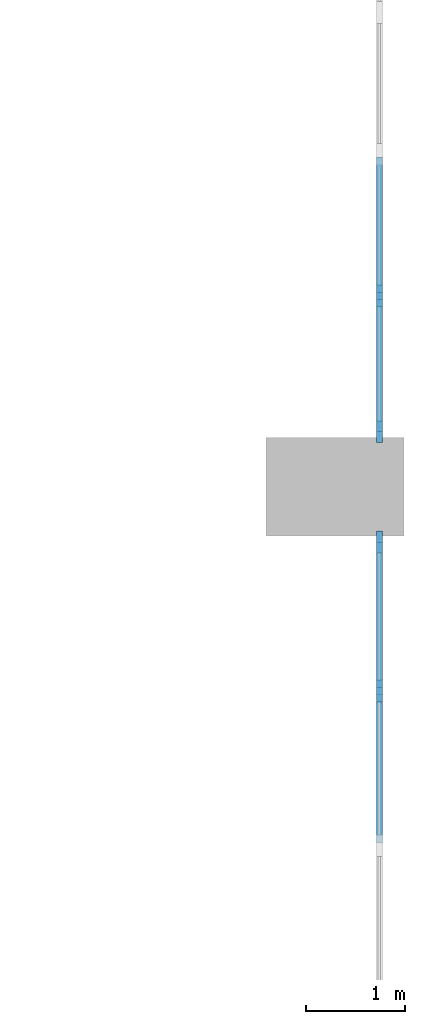
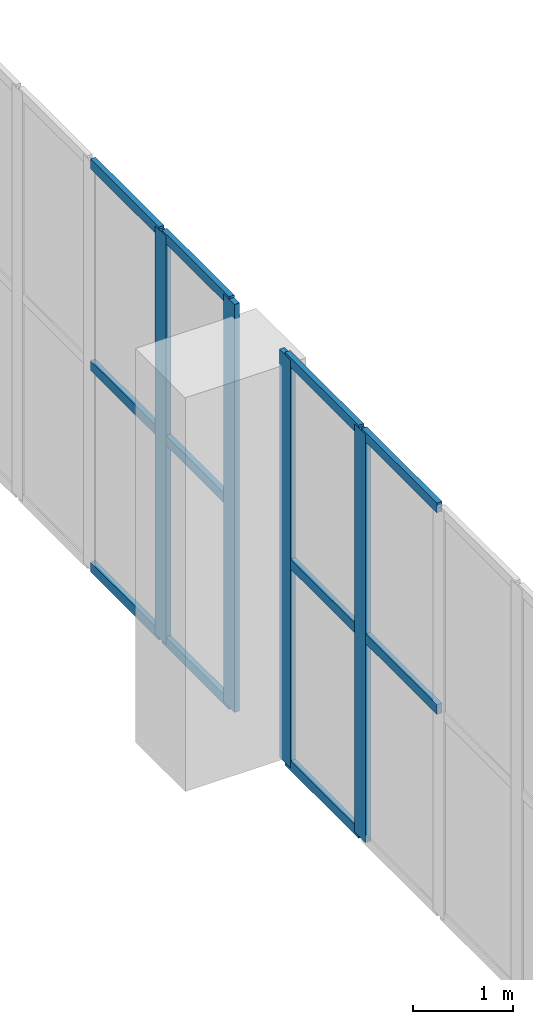
# One storey, part 17 of 69: 15 members, 2 elements without a shape of their own.
"""IFC4 building model written with IfcOpenShell, lengths in metres."""

from ifc_helpers import new_model, si_unit, direction, frame, origin, origin_2d, place, context, subcontext, project, spatial, rectangle, extrude, material, layer, layer_set, material_profile, profile_set, type_object, element, aggregate, save


model = new_model("IFC4")

# Units and contexts
model_context = context("Model", 3, precision=1e-05, world=origin(), true_north=direction((0.0, 1.0)))
body_context = subcontext(model_context, "Body", "Model", "MODEL_VIEW")
ifc_project = project(units=[si_unit("LENGTHUNIT", "METRE"), si_unit("AREAUNIT", "SQUARE_METRE"), si_unit("VOLUMEUNIT", "CUBIC_METRE"), si_unit("PLANEANGLEUNIT", "RADIAN"), si_unit("MASSUNIT", "GRAM", prefix="KILO")], contexts=[model_context])

# Site, building, storey
site_placement = place(None, origin())
site = spatial("IfcSite", under=ifc_project, at=site_placement, CompositionType="ELEMENT")
building_placement = place(site_placement, origin())
building = spatial("IfcBuilding", under=site, at=building_placement, Name="Lilac Gate Convention Centre", CompositionType="ELEMENT")
storey_placement = place(building_placement, frame((0.0, 0.0, 12.0)))
storey = spatial("IfcBuildingStorey", under=building, at=storey_placement, Name="L02", CompositionType="ELEMENT", Elevation=12.0)

# Curtain wall, members
ifc_material_1 = material(Name="Aluminium framed double glazing", Category="aluminium")
ifc_layer = layer(ifc_material_1, 0.199951171875)
ifc_layer_set = layer_set([ifc_layer], Name="Aluminium framed double glazing")
curtain_wall_type = type_object("IfcCurtainWallType", Name="Unitised curtain wall 1500", PredefinedType="NOTDEFINED", material=ifc_layer_set)
curtain_wall_1_placement = place(storey_placement, origin())
curtain_wall_1 = element("IfcCurtainWall", 1, at=curtain_wall_1_placement, inside=storey, type_object=curtain_wall_type, Name="Curtain wall HE L02 5", PredefinedType="NOTDEFINED")
ifc_material_2 = material(Name="Aluminium alloy 6063", Category="aluminium")
ifc_material_profile_1 = material_profile(ifc_material_2, rectangle(XDim=0.06005859375, YDim=0.219970703125, at=origin_2d()), Name="Curtain wall mullion 60 x 220")
ifc_profile_set_1 = profile_set([ifc_material_profile_1], Name="Aluminium alloy 6063")
member_type_1 = type_object("IfcMemberType", Name="Curtain wall mullion 60 x 220", PredefinedType="MULLION", material=ifc_profile_set_1)
member_1_placement = place(storey_placement, frame((90.449951171875, 87.928466796875, 0.0), z_axis=(0.0, 0.0, 1.0), x_axis=(-1.0, 0.0, 0.0)))
member_1 = element("IfcMember", 2, at=member_1_placement, type_object=member_type_1, Name="CW mullion 7", PredefinedType="MULLION", context=body_context, shape_type="SweptSolid", body=[
    extrude(rectangle(XDim=0.06005859375, YDim=0.219970703125, at=origin_2d()), origin(), (0.0, 0.0, 1.0), 5.0),
])
member_2_placement = place(storey_placement, frame((90.449951171875, 89.43994140625, 0.0), z_axis=(0.0, 0.0, 1.0), x_axis=(-1.0, 0.0, 0.0)))
member_2 = element("IfcMember", 3, at=member_2_placement, type_object=member_type_1, Name="CW mullion 8", PredefinedType="MULLION", context=body_context, shape_type="SweptSolid", body=[
    extrude(rectangle(XDim=0.06005859375, YDim=0.219970703125, at=origin_2d()), origin(), (0.0, 0.0, 1.0), 5.0),
])

curtain_wall_2_placement = place(storey_placement, origin())
curtain_wall_2 = element("IfcCurtainWall", 4, at=curtain_wall_2_placement, inside=storey, type_object=curtain_wall_type, Name="Curtain wall HE L02 6", PredefinedType="NOTDEFINED")
member_3_placement = place(storey_placement, frame((90.449951171875, 90.56005859375, 0.0), z_axis=(0.0, 0.0, 1.0), x_axis=(-1.0, 0.0, 0.0)))
member_3 = element("IfcMember", 5, at=member_3_placement, type_object=member_type_1, Name="CW mullion 1", PredefinedType="MULLION", context=body_context, shape_type="SweptSolid", body=[
    extrude(rectangle(XDim=0.06005859375, YDim=0.219970703125, at=origin_2d()), origin(), (0.0, 0.0, 1.0), 5.0),
])
member_4_placement = place(storey_placement, frame((90.449951171875, 91.9375, 0.0), z_axis=(0.0, 0.0, 1.0), x_axis=(-1.0, 0.0, 0.0)))
member_4 = element("IfcMember", 6, at=member_4_placement, type_object=member_type_1, Name="CW mullion 2", PredefinedType="MULLION", context=body_context, shape_type="SweptSolid", body=[
    extrude(rectangle(XDim=0.06005859375, YDim=0.219970703125, at=origin_2d()), origin(), (0.0, 0.0, 1.0), 5.0),
])

# Member
ifc_material_profile_2 = material_profile(ifc_material_2, rectangle(XDim=0.06005859375, YDim=0.1201171875, at=origin_2d()), Name="Curtain wall transom 60 x 120")
ifc_profile_set_2 = profile_set([ifc_material_profile_2], Name="Aluminium alloy 6063")
member_type_2 = type_object("IfcMemberType", Name="Curtain wall transom 60 x 120", PredefinedType="USERDEFINED", material=ifc_profile_set_2)
member_5_placement = place(storey_placement, frame((90.449951171875, 86.38720703125, 2.5), z_axis=(0.0, 1.0, 0.0), x_axis=(-1.0, 0.0, 0.0)))
member_5 = element("IfcMember", 7, at=member_5_placement, type_object=member_type_2, Name="CW transom 6.2", ObjectType="TRANSOM", PredefinedType="USERDEFINED", context=body_context, shape_type="SweptSolid", body=[
    extrude(rectangle(XDim=0.06005859375, YDim=0.1201171875, at=origin_2d()), origin(), (0.0, 0.0, 1.0), 1.511474609375),
])

member_6_placement = place(storey_placement, frame((90.449951171875, 86.38720703125, 4.969970703125), z_axis=(0.0, 1.0, 0.0), x_axis=(-1.0, 0.0, 0.0)))
member_6 = element("IfcMember", 8, at=member_6_placement, type_object=member_type_2, Name="CW transom 6.3", ObjectType="TRANSOM", PredefinedType="USERDEFINED", context=body_context, shape_type="SweptSolid", body=[
    extrude(rectangle(XDim=0.06005859375, YDim=0.1201171875, at=origin_2d()), origin(), (0.0, 0.0, 1.0), 1.511474609375),
])

member_7_placement = place(storey_placement, frame((90.449951171875, 87.95849609375, 0.030029296875), z_axis=(0.0, 1.0, 0.0), x_axis=(-1.0, 0.0, 0.0)))
member_7 = element("IfcMember", 9, at=member_7_placement, type_object=member_type_2, Name="CW transom 7.1", ObjectType="TRANSOM", PredefinedType="USERDEFINED", context=body_context, shape_type="SweptSolid", body=[
    extrude(rectangle(XDim=0.06005859375, YDim=0.1201171875, at=origin_2d()), origin(), (0.0, 0.0, 1.0), 1.4814453125),
])

member_8_placement = place(storey_placement, frame((90.449951171875, 87.95849609375, 2.5), z_axis=(0.0, 1.0, 0.0), x_axis=(-1.0, 0.0, 0.0)))
member_8 = element("IfcMember", 10, at=member_8_placement, type_object=member_type_2, Name="CW transom 7.2", ObjectType="TRANSOM", PredefinedType="USERDEFINED", context=body_context, shape_type="SweptSolid", body=[
    extrude(rectangle(XDim=0.06005859375, YDim=0.1201171875, at=origin_2d()), origin(), (0.0, 0.0, 1.0), 1.4814453125),
])

member_9_placement = place(storey_placement, frame((90.449951171875, 87.95849609375, 4.969970703125), z_axis=(0.0, 1.0, 0.0), x_axis=(-1.0, 0.0, 0.0)))
member_9 = element("IfcMember", 11, at=member_9_placement, type_object=member_type_2, Name="CW transom 7.3", ObjectType="TRANSOM", PredefinedType="USERDEFINED", context=body_context, shape_type="SweptSolid", body=[
    extrude(rectangle(XDim=0.06005859375, YDim=0.1201171875, at=origin_2d()), origin(), (0.0, 0.0, 1.0), 1.4814453125),
])

aggregate(curtain_wall_1, [member_1, member_2, member_5, member_6, member_7, member_8, member_9])

member_10_placement = place(storey_placement, frame((90.449951171875, 90.56005859375, 0.030029296875), z_axis=(0.0, 1.0, 0.0), x_axis=(-1.0, 0.0, 0.0)))
member_10 = element("IfcMember", 12, at=member_10_placement, type_object=member_type_2, Name="CW transom 1.1", ObjectType="TRANSOM", PredefinedType="USERDEFINED", context=body_context, shape_type="SweptSolid", body=[
    extrude(rectangle(XDim=0.06005859375, YDim=0.1201171875, at=origin_2d()), origin(), (0.0, 0.0, 1.0), 1.347412109375),
])

member_11_placement = place(storey_placement, frame((90.449951171875, 90.56005859375, 2.5), z_axis=(0.0, 1.0, 0.0), x_axis=(-1.0, 0.0, 0.0)))
member_11 = element("IfcMember", 13, at=member_11_placement, type_object=member_type_2, Name="CW transom 1.2", ObjectType="TRANSOM", PredefinedType="USERDEFINED", context=body_context, shape_type="SweptSolid", body=[
    extrude(rectangle(XDim=0.06005859375, YDim=0.1201171875, at=origin_2d()), origin(), (0.0, 0.0, 1.0), 1.347412109375),
])

member_12_placement = place(storey_placement, frame((90.449951171875, 90.56005859375, 4.969970703125), z_axis=(0.0, 1.0, 0.0), x_axis=(-1.0, 0.0, 0.0)))
member_12 = element("IfcMember", 14, at=member_12_placement, type_object=member_type_2, Name="CW transom 1.3", ObjectType="TRANSOM", PredefinedType="USERDEFINED", context=body_context, shape_type="SweptSolid", body=[
    extrude(rectangle(XDim=0.06005859375, YDim=0.1201171875, at=origin_2d()), origin(), (0.0, 0.0, 1.0), 1.347412109375),
])

member_13_placement = place(storey_placement, frame((90.449951171875, 91.967529296875, 0.030029296875), z_axis=(0.0, 1.0, 0.0), x_axis=(-1.0, 0.0, 0.0)))
member_13 = element("IfcMember", 15, at=member_13_placement, type_object=member_type_2, Name="CW transom 2.1", ObjectType="TRANSOM", PredefinedType="USERDEFINED", context=body_context, shape_type="SweptSolid", body=[
    extrude(rectangle(XDim=0.06005859375, YDim=0.1201171875, at=origin_2d()), origin(), (0.0, 0.0, 1.0), 1.37744140625),
])

member_14_placement = place(storey_placement, frame((90.449951171875, 91.967529296875, 2.5), z_axis=(0.0, 1.0, 0.0), x_axis=(-1.0, 0.0, 0.0)))
member_14 = element("IfcMember", 16, at=member_14_placement, type_object=member_type_2, Name="CW transom 2.2", ObjectType="TRANSOM", PredefinedType="USERDEFINED", context=body_context, shape_type="SweptSolid", body=[
    extrude(rectangle(XDim=0.06005859375, YDim=0.1201171875, at=origin_2d()), origin(), (0.0, 0.0, 1.0), 1.37744140625),
])

member_15_placement = place(storey_placement, frame((90.449951171875, 91.967529296875, 4.969970703125), z_axis=(0.0, 1.0, 0.0), x_axis=(-1.0, 0.0, 0.0)))
member_15 = element("IfcMember", 17, at=member_15_placement, type_object=member_type_2, Name="CW transom 2.3", ObjectType="TRANSOM", PredefinedType="USERDEFINED", context=body_context, shape_type="SweptSolid", body=[
    extrude(rectangle(XDim=0.06005859375, YDim=0.1201171875, at=origin_2d()), origin(), (0.0, 0.0, 1.0), 1.37744140625),
])

aggregate(curtain_wall_2, [member_3, member_4, member_10, member_11, member_12, member_13, member_14, member_15])

save(model, "model.ifc")
